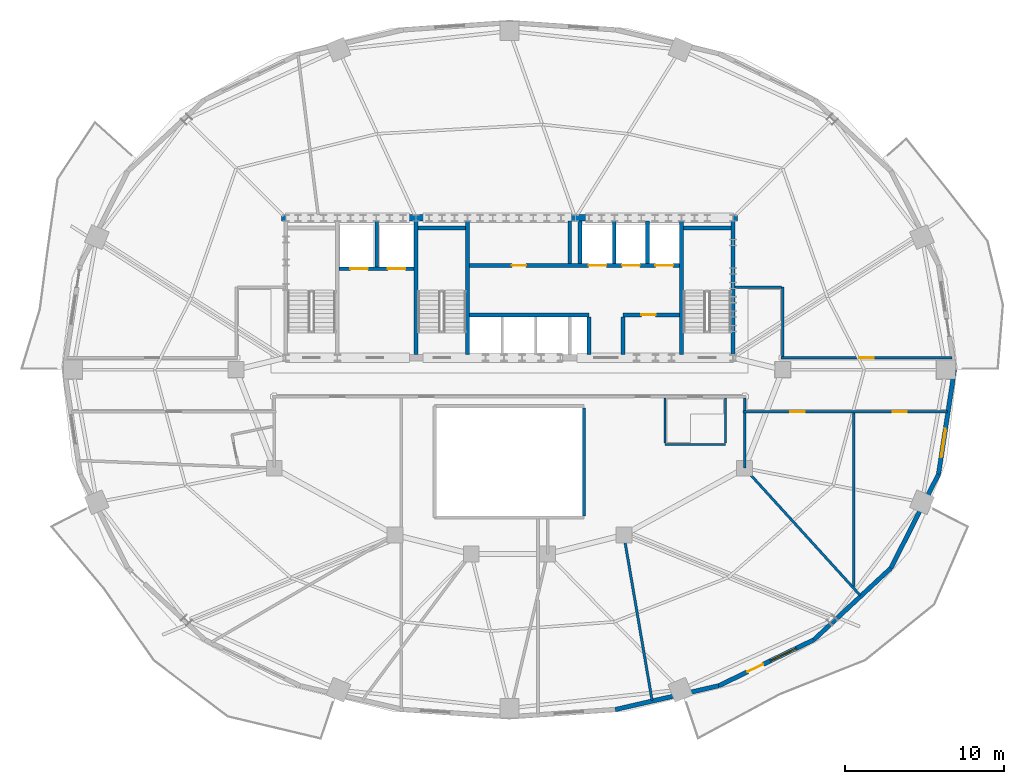
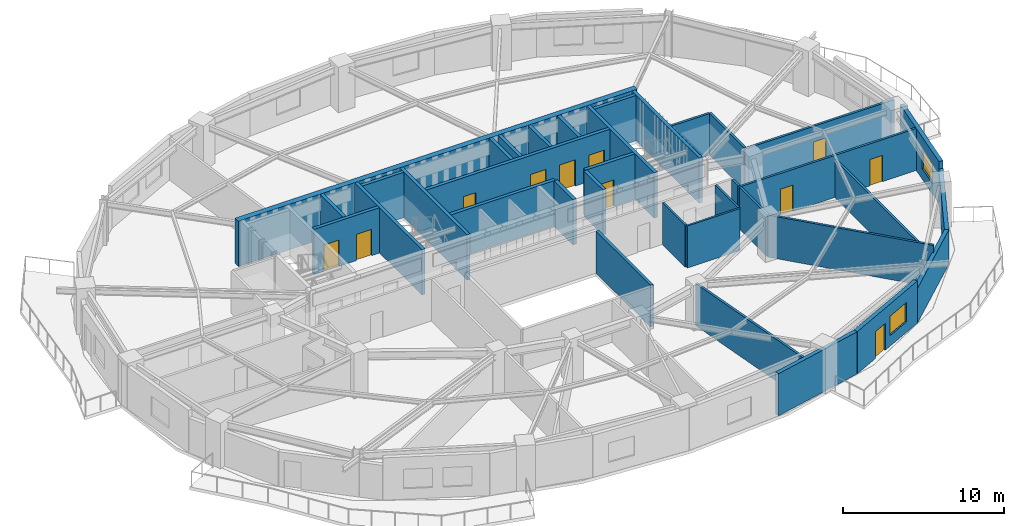
# One storey, part 5 of 11: 36 walls, 11 doors, 2 windows, 13 openings.
"""IFC4 building model written with IfcOpenShell, lengths in metres."""

from ifc_helpers import new_model, si_unit, direction, frame, frame_2d, origin, place, context, subcontext, project, spatial, rectangle, extrude, material, layer, layer_set, type_object, element, fill, save


model = new_model("IFC4")

# Units and contexts
model_context = context("Model", 3, precision=1e-05, world=origin(), true_north=direction((0.0, 1.0)))
body_context = subcontext(model_context, "Body", "Model", "MODEL_VIEW")
ifc_project = project(units=[si_unit("LENGTHUNIT", "METRE"), si_unit("AREAUNIT", "SQUARE_METRE"), si_unit("VOLUMEUNIT", "CUBIC_METRE"), si_unit("PLANEANGLEUNIT", "RADIAN"), si_unit("MASSUNIT", "GRAM", prefix="KILO")], contexts=[model_context])

# Site, building, storey
site_placement = place(None, origin())
site = spatial("IfcSite", under=ifc_project, at=site_placement, CompositionType="ELEMENT")
building_placement = place(site_placement, origin())
building = spatial("IfcBuilding", under=site, at=building_placement, Name="Haldorwick Loom Tower", CompositionType="ELEMENT")
storey_placement = place(building_placement, frame((0.0, 0.0, 204.85009765625)))
storey = spatial("IfcBuildingStorey", under=building, at=storey_placement, Name="L55", CompositionType="ELEMENT", Elevation=204.85009765625)

# Wall
ifc_material_1 = material(Name="Pressed Clay Face Brick and Insulated Masonry Backup Assembly", Category="masonry")
ifc_layer_1 = layer(ifc_material_1, 0.280029296875, Name="Pressed Clay Face Brick and Insulated Masonry Backup Assembly", Category="masonry")
ifc_layer_set_1 = layer_set([ifc_layer_1], Name="Pressed Clay Face Brick and Insulated Masonry Backup Assembly")
wall_type_1 = type_object("IfcWallType", Name="ARC-WL-EXT280", PredefinedType="STANDARD", material=ifc_layer_set_1)
wall_1_placement = place(storey_placement, frame((42.665283203125, 4.61279296875, 0.0), z_axis=(0.0, 0.0, 1.0), x_axis=(0.974557343474, 0.224138315065, 0.0)))
element("IfcWall", 1, at=wall_1_placement, inside=storey, type_object=wall_type_1, Name="L55 Brick Pier and Spandrel Wall 20", PredefinedType="STANDARD", context=body_context, shape_type="SweptSolid", body=[
    extrude(rectangle(XDim=6.676025390625, YDim=0.280029296875, at=frame_2d((3.337890625, 0.0))), origin(), (0.0, 0.0, 1.0), 3.2099609375),
])

# Wall, openings, door, window
wall_2_placement = place(storey_placement, frame((49.17138671875, 6.109130859375, 0.0), z_axis=(0.0, 0.0, 1.0), x_axis=(0.900371236029, 0.435122554381, 0.0)))
wall_2 = element("IfcWall", 2, at=wall_2_placement, inside=storey, type_object=wall_type_1, Name="L55 Brick Pier and Spandrel Wall 21", PredefinedType="STANDARD", context=body_context, shape_type="SweptSolid", body=[
    extrude(rectangle(XDim=6.6533203125, YDim=0.280029296875, at=frame_2d((3.32666015625, 0.0))), origin(), (0.0, 0.0, 1.0), 3.2099609375),
])
opening_1_placement = place(wall_2_placement, frame((2.022705078125, 0.0, 0.0)))
opening_1 = element("IfcOpeningElement", 3, at=opening_1_placement, cuts=wall_2, Name="Opening D-BL11", PredefinedType="OPENING", context=body_context, shape_type="SweptSolid", body=[
    extrude(rectangle(XDim=1.080078125, YDim=2.0400390625, at=frame_2d((0.5400390625, 1.02001953125))), frame((0.0, 0.14990234375, 0.0), z_axis=(0.0, -1.0, 0.0), x_axis=(1.0, 0.0, 0.0)), (0.0, 0.0, 1.0), 0.300048828125),
])
opening_2_placement = place(wall_2_placement, frame((3.618896484375, 0.0, 0.800048828125)))
opening_2 = element("IfcOpeningElement", 4, at=opening_2_placement, cuts=wall_2, Name="Opening W-01", PredefinedType="OPENING", context=body_context, shape_type="SweptSolid", body=[
    extrude(rectangle(XDim=1.800048828125, YDim=1.47998046875, at=frame_2d((0.89990234375, 0.739990234375))), frame((0.0, 0.14990234375, 0.0), z_axis=(0.0, -1.0, 0.0), x_axis=(1.0, 0.0, 0.0)), (0.0, 0.0, 1.0), 0.300048828125),
])
ifc_material_2 = material(Name="Thermally Broken Anodized Aluminium Curtain Wall Framing", Category="aluminium")
door_type_1 = type_object("IfcDoorType", Name="ARC-DR-BAL110", OperationType="NOTDEFINED", PredefinedType="DOOR", material=ifc_material_2)
door_1_placement = place(opening_1_placement, origin())
door_1 = element("IfcDoor", 5, at=door_1_placement, inside=storey, type_object=door_type_1, Name="L55 Outdoor Terrace Door SLB-L55-BAL_SE", OperationType="SINGLE_SWING_RIGHT", OverallHeight=2.0400390625, OverallWidth=1.080078125, PredefinedType="DOOR", context=body_context, shape_type="SweptSolid", body=[
    extrude(rectangle(XDim=1.080078125, YDim=2.0400390625, at=frame_2d((0.5400390625, 1.02001953125))), frame((0.0, 0.02490234375, 0.0), z_axis=(0.0, -1.0, 0.0), x_axis=(1.0, 0.0, 0.0)), (0.0, 0.0, 1.0), 0.050048828125),
])
fill(opening_1, door_1)
ifc_material_3 = material(Name="Triple-Glazed Low-E Argon Insulated Glazing Unit", Category="glass")
window_type = type_object("IfcWindowType", Name="ARC-WIN-W180", PartitioningType="SINGLE_PANEL", PredefinedType="WINDOW", material=ifc_material_3)
window_1_placement = place(opening_2_placement, origin())
window_1 = element("IfcWindow", 6, at=window_1_placement, inside=storey, type_object=window_type, Name="L55 Deep-Set Zone 7A Window 21", OverallHeight=1.47998046875, OverallWidth=1.800048828125, PartitioningType="SINGLE_PANEL", PredefinedType="WINDOW", context=body_context, shape_type="SweptSolid", body=[
    extrude(rectangle(XDim=1.800048828125, YDim=1.47998046875, at=frame_2d((0.89990234375, 0.739990234375))), frame((0.0, 0.030029296875, 0.0), z_axis=(0.0, -1.0, 0.0), x_axis=(1.0, 0.0, 0.0)), (0.0, 0.0, 1.0), 0.06005859375),
])
fill(opening_2, window_1)

# Walls
wall_3_placement = place(storey_placement, frame((55.161865234375, 9.004150390625, 0.0), z_axis=(0.0, 0.0, 1.0), x_axis=(0.731833707499, 0.681483253329, 0.0)))
element("IfcWall", 7, at=wall_3_placement, inside=storey, type_object=wall_type_1, Name="L55 Brick Pier and Spandrel Wall 22", PredefinedType="STANDARD", context=body_context, shape_type="SweptSolid", body=[
    extrude(rectangle(XDim=6.61865234375, YDim=0.280029296875, at=frame_2d((3.309326171875, 0.0))), origin(), (0.0, 0.0, 1.0), 2.640869140625),
])
wall_4_placement = place(storey_placement, frame((60.005615234375, 13.5146484375, 0.0), z_axis=(0.0, 0.0, 1.0), x_axis=(0.453032066879, 0.89149422117, 0.0)))
element("IfcWall", 8, at=wall_4_placement, inside=storey, type_object=wall_type_1, Name="L55 Brick Pier and Spandrel Wall 23", PredefinedType="STANDARD", context=body_context, shape_type="SweptSolid", body=[
    extrude(rectangle(XDim=6.618896484375, YDim=0.280029296875, at=frame_2d((3.3095703125, 0.0))), origin(), (0.0, 0.0, 1.0), 2.640869140625),
])

# Wall, opening, window
wall_5_placement = place(storey_placement, frame((63.004150390625, 19.415283203125, 0.0), z_axis=(0.0, 0.0, 1.0), x_axis=(0.150467697578, 0.988614926038, 0.0)))
wall_5 = element("IfcWall", 9, at=wall_5_placement, inside=storey, type_object=wall_type_1, Name="L55 Brick Pier and Spandrel Wall 24", PredefinedType="STANDARD", context=body_context, shape_type="SweptSolid", body=[
    extrude(rectangle(XDim=6.66064453125, YDim=0.280029296875, at=frame_2d((3.330322265625, 0.0))), origin(), (0.0, 0.0, 1.0), 3.2099609375),
])
opening_3_placement = place(wall_5_placement, frame((1.09814453125, 0.0, 0.800048828125)))
opening_3 = element("IfcOpeningElement", 10, at=opening_3_placement, cuts=wall_5, Name="Opening W-01", PredefinedType="OPENING", context=body_context, shape_type="SweptSolid", body=[
    extrude(rectangle(XDim=1.800048828125, YDim=1.47998046875, at=frame_2d((0.89990234375, 0.739990234375))), frame((0.0, 0.14990234375, 0.0), z_axis=(0.0, -1.0, 0.0), x_axis=(1.0, 0.0, 0.0)), (0.0, 0.0, 1.0), 0.300048828125),
])
window_2_placement = place(opening_3_placement, origin())
window_2 = element("IfcWindow", 11, at=window_2_placement, inside=storey, type_object=window_type, Name="L55 Deep-Set Zone 7A Window 24", OverallHeight=1.47998046875, OverallWidth=1.800048828125, PartitioningType="SINGLE_PANEL", PredefinedType="WINDOW", context=body_context, shape_type="SweptSolid", body=[
    extrude(rectangle(XDim=1.800048828125, YDim=1.47998046875, at=frame_2d((0.89990234375, 0.739990234375))), frame((0.0, 0.030029296875, 0.0), z_axis=(0.0, -1.0, 0.0), x_axis=(1.0, 0.0, 0.0)), (0.0, 0.0, 1.0), 0.06005859375),
])
fill(opening_3, window_2)

# Wall, openings, doors
ifc_material_4 = material(Name="Fire-Rated Type X Gypsum Stud Assembly EI 60")
ifc_layer_2 = layer(ifc_material_4, 0.159912109375, Name="Fire-Rated Type X Gypsum Stud Assembly EI 60")
ifc_layer_set_2 = layer_set([ifc_layer_2], Name="Fire-Rated Type X Gypsum Stud Assembly EI 60")
wall_type_2 = type_object("IfcWallType", Name="ARC-WL-FIRE160", PredefinedType="PARTITIONING", material=ifc_layer_set_2)
wall_6_placement = place(storey_placement, frame((50.699951171875, 23.35009765625, 0.0), z_axis=(0.0, 0.0, 1.0), x_axis=(1.0, 0.0, 0.0)))
wall_6 = element("IfcWall", 12, at=wall_6_placement, inside=storey, type_object=wall_type_2, Name="L55 Residential Fire Partition L55-CR-SPE", PredefinedType="PARTITIONING", context=body_context, shape_type="SweptSolid", body=[
    extrude(rectangle(XDim=12.857666015625, YDim=0.159912109375, at=frame_2d((6.4287109375, 0.0))), origin(), (0.0, 0.0, 1.0), 3.19482421875),
])
opening_4_placement = place(wall_6_placement, frame((2.986083984375, 0.0, 0.0)))
opening_4 = element("IfcOpeningElement", 13, at=opening_4_placement, cuts=wall_6, Name="Opening D-FD60A", PredefinedType="OPENING", context=body_context, shape_type="SweptSolid", body=[
    extrude(rectangle(XDim=0.89990234375, YDim=2.0, at=frame_2d((0.449951171875, 1.0))), frame((0.0, 0.08984375, 0.0), z_axis=(0.0, -1.0, 0.0), x_axis=(1.0, 0.0, 0.0)), (0.0, 0.0, 1.0), 0.179931640625),
])
opening_5_placement = place(wall_6_placement, frame((9.414794921875, 0.0, 0.0)))
opening_5 = element("IfcOpeningElement", 14, at=opening_5_placement, cuts=wall_6, Name="Opening D-FD60A", PredefinedType="OPENING", context=body_context, shape_type="SweptSolid", body=[
    extrude(rectangle(XDim=0.89990234375, YDim=2.0, at=frame_2d((0.449951171875, 1.0))), frame((0.0, 0.08984375, 0.0), z_axis=(0.0, -1.0, 0.0), x_axis=(1.0, 0.0, 0.0)), (0.0, 0.0, 1.0), 0.179931640625),
])
ifc_material_5 = material(Name="Hollow Steel Fire Door Assembly", Category="steel")
door_type_2 = type_object("IfcDoorType", Name="ARC-DR-FD60-90", OperationType="NOTDEFINED", PredefinedType="DOOR", material=ifc_material_5)
door_2_placement = place(opening_4_placement, origin())
door_2 = element("IfcDoor", 15, at=door_2_placement, inside=storey, type_object=door_type_2, Name="L55 L55 Central Residential Corridor to Resident Cafe Room 2 Door", OperationType="SINGLE_SWING_LEFT", OverallHeight=2.0, OverallWidth=0.89990234375, PredefinedType="DOOR", context=body_context, shape_type="SweptSolid", body=[
    extrude(rectangle(XDim=0.89990234375, YDim=2.0, at=frame_2d((0.449951171875, 1.0))), frame((0.0, 0.02490234375, 0.0), z_axis=(0.0, -1.0, 0.0), x_axis=(1.0, 0.0, 0.0)), (0.0, 0.0, 1.0), 0.050048828125),
])
fill(opening_4, door_2)
door_3_placement = place(opening_5_placement, origin())
door_3 = element("IfcDoor", 16, at=door_3_placement, inside=storey, type_object=door_type_2, Name="L55 L55 Central Residential Corridor to Shared Dining Hall 1 Door", OperationType="SINGLE_SWING_RIGHT", OverallHeight=2.0, OverallWidth=0.89990234375, PredefinedType="DOOR", context=body_context, shape_type="SweptSolid", body=[
    extrude(rectangle(XDim=0.89990234375, YDim=2.0, at=frame_2d((0.449951171875, 1.0))), frame((0.0, 0.02490234375, 0.0), z_axis=(0.0, -1.0, 0.0), x_axis=(1.0, 0.0, 0.0)), (0.0, 0.0, 1.0), 0.050048828125),
])
fill(opening_5, door_3)

# Wall
wall_7_placement = place(storey_placement, frame((50.800048828125, 23.43310546875, 0.0), z_axis=(0.0, 0.0, 1.0), x_axis=(0.0, 1.0, 0.0)))
element("IfcWall", 17, at=wall_7_placement, inside=storey, type_object=wall_type_2, Name="L55 Residential Fire Partition L55-CR-STE", PredefinedType="PARTITIONING", context=body_context, shape_type="SweptSolid", body=[
    extrude(rectangle(XDim=0.783935546875, YDim=0.159912109375, at=frame_2d((0.39208984375, 0.0))), origin(), (0.0, 0.0, 1.0), 3.19482421875),
])

# Wall, opening, door
wall_8_placement = place(storey_placement, frame((53.10009765625, 26.75, 0.0), z_axis=(0.0, 0.0, 1.0), x_axis=(1.0, 0.0, 0.0)))
wall_8 = element("IfcWall", 18, at=wall_8_placement, inside=storey, type_object=wall_type_2, Name="L55 Residential Fire Partition L55-CR-NEL", PredefinedType="PARTITIONING", context=body_context, shape_type="SweptSolid", body=[
    extrude(rectangle(XDim=10.74658203125, YDim=0.159912109375, at=frame_2d((5.373291015625, 0.0))), origin(), (0.0, 0.0, 1.0), 3.19482421875),
])
opening_6_placement = place(wall_8_placement, frame((4.92333984375, 0.0, 0.0)))
opening_6 = element("IfcOpeningElement", 19, at=opening_6_placement, cuts=wall_8, Name="Opening D-FD60A", PredefinedType="OPENING", context=body_context, shape_type="SweptSolid", body=[
    extrude(rectangle(XDim=0.89990234375, YDim=2.0, at=frame_2d((0.449951171875, 1.0))), frame((0.0, 0.08984375, 0.0), z_axis=(0.0, -1.0, 0.0), x_axis=(1.0, 0.0, 0.0)), (0.0, 0.0, 1.0), 0.179931640625),
])
door_4_placement = place(opening_6_placement, frame((0.89990234375, 0.0, 0.0), z_axis=(0.0, 0.0, 1.0), x_axis=(-1.0, 0.0, 0.0)))
door_4 = element("IfcDoor", 20, at=door_4_placement, inside=storey, type_object=door_type_2, Name="L55 Co-Working Open Office 8 to L55 Central Residential Corridor Door", OperationType="SINGLE_SWING_RIGHT", OverallHeight=2.0, OverallWidth=0.89990234375, PredefinedType="DOOR", context=body_context, shape_type="SweptSolid", body=[
    extrude(rectangle(XDim=0.89990234375, YDim=2.0, at=frame_2d((0.449951171875, 1.0))), frame((0.0, 0.02490234375, 0.0), z_axis=(0.0, -1.0, 0.0), x_axis=(1.0, 0.0, 0.0)), (0.0, 0.0, 1.0), 0.050048828125),
])
fill(opening_6, door_4)

# Walls
wall_9_placement = place(storey_placement, frame((53.199951171875, 26.8330078125, 0.0), z_axis=(0.0, 0.0, 1.0), x_axis=(0.0, 1.0, 0.0)))
element("IfcWall", 21, at=wall_9_placement, inside=storey, type_object=wall_type_2, Name="L55 Residential Fire Partition L55-CR-E0", PredefinedType="PARTITIONING", context=body_context, shape_type="SweptSolid", body=[
    extrude(rectangle(XDim=4.366943359375, YDim=0.159912109375, at=frame_2d((2.18359375, 0.0))), origin(), (0.0, 0.0, 1.0), 3.19482421875),
])
wall_10_placement = place(storey_placement, frame((50.193115234375, 31.199951171875, 0.0), z_axis=(0.0, 0.0, 1.0), x_axis=(1.0, 0.0, 0.0)))
element("IfcWall", 22, at=wall_10_placement, inside=storey, type_object=wall_type_2, Name="L55 Residential Fire Partition L55-CR-ENJ", PredefinedType="PARTITIONING", context=body_context, shape_type="SweptSolid", body=[
    extrude(rectangle(XDim=2.923828125, YDim=0.159912109375, at=frame_2d((1.4619140625, 0.0))), origin(), (0.0, 0.0, 1.0), 3.19482421875),
])
wall_11_placement = place(storey_placement, frame((50.800048828125, 19.800048828125, 0.0), z_axis=(0.0, 0.0, 1.0), x_axis=(0.672622296294, -0.739985977251, 0.0)))
element("IfcWall", 23, at=wall_11_placement, inside=storey, type_object=wall_type_2, Name="L55 Residential Fire Partition L55-ICR-02", PredefinedType="PARTITIONING", context=body_context, shape_type="SweptSolid", body=[
    extrude(rectangle(XDim=10.8291015625, YDim=0.159912109375, at=frame_2d((5.41455078125, 0.0))), origin(), (0.0, 0.0, 1.0), 3.19482421875),
])
wall_12_placement = place(storey_placement, frame((43.199951171875, 15.60009765625, 0.0), z_axis=(0.0, 0.0, 1.0), x_axis=(0.168424125472, -0.985714620952, 0.0)))
element("IfcWall", 24, at=wall_12_placement, inside=storey, type_object=wall_type_2, Name="L55 Residential Fire Partition L55-ICR-04", PredefinedType="PARTITIONING", context=body_context, shape_type="SweptSolid", body=[
    extrude(rectangle(XDim=10.56005859375, YDim=0.159912109375, at=frame_2d((5.280029296875, 0.0))), origin(), (0.0, 0.0, 1.0), 3.19482421875),
])
wall_13_placement = place(storey_placement, frame((50.800048828125, 23.26708984375, 0.0), z_axis=(0.0, 0.0, 1.0), x_axis=(0.0, -1.0, 0.0)))
element("IfcWall", 25, at=wall_13_placement, inside=storey, type_object=wall_type_2, Name="L55 Residential Fire Partition L55-ICA-01", PredefinedType="PARTITIONING", context=body_context, shape_type="SweptSolid", body=[
    extrude(rectangle(XDim=3.467041015625, YDim=0.159912109375, at=frame_2d((1.7333984375, 0.0))), origin(), (0.0, 0.0, 1.0), 3.19482421875),
])
wall_14_placement = place(storey_placement, frame((57.66748046875, 12.3681640625, 0.0), z_axis=(0.0, 0.0, 1.0), x_axis=(0.0, 1.0, 0.0)))
element("IfcWall", 26, at=wall_14_placement, inside=storey, type_object=wall_type_2, Name="L55 Suite Split Wall", PredefinedType="PARTITIONING", context=body_context, shape_type="SweptSolid", body=[
    extrude(rectangle(XDim=10.89892578125, YDim=0.159912109375, at=frame_2d((5.449462890625, 0.0))), origin(), (0.0, 0.0, 1.0), 2.871826171875),
])
ifc_material_6 = material(Name="Fire-Rated Type X Gypsum Stud Assembly EI 120")
ifc_layer_3 = layer(ifc_material_6, 0.199951171875, Name="Fire-Rated Type X Gypsum Stud Assembly EI 120")
ifc_layer_set_3 = layer_set([ifc_layer_3], Name="Fire-Rated Type X Gypsum Stud Assembly EI 120")
wall_type_3 = type_object("IfcWallType", Name="ARC-WL-FIRE200", PredefinedType="PARTITIONING", material=ifc_layer_set_3)
wall_15_placement = place(storey_placement, frame((40.699951171875, 23.596923828125, 0.0), z_axis=(0.0, 0.0, 1.0), x_axis=(0.0, -1.0, 0.0)))
element("IfcWall", 27, at=wall_15_placement, inside=storey, type_object=wall_type_3, Name="L55 Atrium Fire Enclosure Wall E", PredefinedType="PARTITIONING", context=body_context, shape_type="SweptSolid", body=[
    extrude(rectangle(XDim=6.7939453125, YDim=0.199951171875, at=frame_2d((3.39697265625, 0.0))), origin(), (0.0, 0.0, 1.0), 3.19482421875),
])
ifc_layer_4 = layer(ifc_material_4, 0.139892578125, Name="Fire-Rated Type X Gypsum Stud Assembly EI 60")
ifc_layer_set_4 = layer_set([ifc_layer_4], Name="Fire-Rated Type X Gypsum Stud Assembly EI 60")
wall_type_4 = type_object("IfcWallType", Name="ARC-WL-PART140", PredefinedType="PARTITIONING", material=ifc_layer_set_4)
wall_16_placement = place(storey_placement, frame((45.800048828125, 21.300048828125, 0.0), z_axis=(0.0, 0.0, 1.0), x_axis=(1.0, 0.0, 0.0)))
element("IfcWall", 28, at=wall_16_placement, inside=storey, type_object=wall_type_4, Name="L55 Residential Fire Partition L55-CWC-S", PredefinedType="PARTITIONING", context=body_context, shape_type="SweptSolid", body=[
    extrude(rectangle(XDim=3.800048828125, YDim=0.139892578125, at=frame_2d((1.89990234375, 0.0))), origin(), (0.0, 0.0, 1.0), 3.19482421875),
])
for number, where, z_axis, x_axis, name in (
    (29, (45.800048828125, 21.373046875, 0.0), (0.0, 0.0, 1.0), (0.0, 1.0, 0.0), "L55 Residential Fire Partition L55-CWC-W"),
    (30, (49.60009765625, 21.373046875, 0.0), (0.0, 0.0, 1.0), (0.0, 1.0, 0.0), "L55 Residential Fire Partition L55-CWC-E"),
):
    element("IfcWall", number, at=place(storey_placement, frame(where, z_axis=z_axis, x_axis=x_axis)), inside=storey, type_object=wall_type_4, Name=name, PredefinedType="PARTITIONING", context=body_context, shape_type="SweptSolid", body=[
        extrude(rectangle(XDim=2.843994140625, YDim=0.139892578125, at=frame_2d((1.421875, 0.0))), origin(), (0.0, 0.0, 1.0), 3.19482421875),
    ])
ifc_material_7 = material(Name="Concrete C50 (50 MPa)", Category="concrete")
ifc_layer_5 = layer(ifc_material_7, 0.39990234375, Name="Concrete C50 (50 MPa)", Category="concrete")
ifc_layer_set_5 = layer_set([ifc_layer_5], Name="Concrete C50 (50 MPa)")
wall_type_5 = type_object("IfcWallType", Name="STR-WL-CORE400", PredefinedType="SHEAR", material=ifc_layer_set_5)
wall_17_placement = place(storey_placement, frame((50.35009765625, 35.550048828125, 0.0), z_axis=(0.0, 0.0, 1.0), x_axis=(-1.0, 0.0, 0.0)))
element("IfcWall", 31, at=wall_17_placement, inside=storey, type_object=wall_type_5, Name="L55 Core Shear Wall N", PredefinedType="SHEAR", context=body_context, shape_type="SweptSolid", body=[
    extrude(rectangle(XDim=28.7001953125, YDim=0.39990234375, at=frame_2d((14.35009765625, 0.0))), origin(), (0.0, 0.0, 1.0), 3.449951171875),
])
ifc_layer_6 = layer(ifc_material_7, 0.239990234375, Name="Concrete C50 (50 MPa)", Category="concrete")
ifc_layer_set_6 = layer_set([ifc_layer_6], Name="Concrete C50 (50 MPa)")
wall_type_6 = type_object("IfcWallType", Name="STR-WL-SHAFT240", PredefinedType="SHEAR", material=ifc_layer_set_6)
for number, where, z_axis, x_axis, name in (
    (32, (50.070068359375, 26.952880859375, 0.0), (0.0, 0.0, 1.0), (0.0, 1.0, 0.0), "L55 Core Shear Wall E"),
    (33, (30.1298828125, 26.952880859375, 0.0), (0.0, 0.0, 1.0), (0.0, 1.0, 0.0), "L55 Core Shear Wall 2"),
    (34, (33.3701171875, 26.952880859375, 0.0), (0.0, 0.0, 1.0), (0.0, 1.0, 0.0), "L55 Core Shear Wall 3"),
):
    element("IfcWall", number, at=place(storey_placement, frame(where, z_axis=z_axis, x_axis=x_axis)), inside=storey, type_object=wall_type_6, Name=name, PredefinedType="SHEAR", context=body_context, shape_type="SweptSolid", body=[
        extrude(rectangle(XDim=8.39404296875, YDim=0.239990234375, at=frame_2d((4.197021484375, 0.0))), origin(), (0.0, 0.0, 1.0), 3.449951171875),
    ])
wall_18_placement = place(storey_placement, frame((30.2529296875, 34.919921875, 0.0), z_axis=(0.0, 0.0, 1.0), x_axis=(1.0, 0.0, 0.0)))
element("IfcWall", 35, at=wall_18_placement, inside=storey, type_object=wall_type_6, Name="L55 Core Shear Wall 3N", PredefinedType="SHEAR", context=body_context, shape_type="SweptSolid", body=[
    extrude(rectangle(XDim=2.994140625, YDim=0.239990234375, at=frame_2d((1.4970703125, 0.0))), origin(), (0.0, 0.0, 1.0), 3.449951171875),
])
wall_19_placement = place(storey_placement, frame((46.830078125, 26.952880859375, 0.0), z_axis=(0.0, 0.0, 1.0), x_axis=(0.0, 1.0, 0.0)))
element("IfcWall", 36, at=wall_19_placement, inside=storey, type_object=wall_type_6, Name="L55 Core Shear Wall 4", PredefinedType="SHEAR", context=body_context, shape_type="SweptSolid", body=[
    extrude(rectangle(XDim=8.39404296875, YDim=0.239990234375, at=frame_2d((4.197021484375, 0.0))), origin(), (0.0, 0.0, 1.0), 3.449951171875),
])
wall_20_placement = place(storey_placement, frame((46.952880859375, 34.919921875, 0.0), z_axis=(0.0, 0.0, 1.0), x_axis=(1.0, 0.0, 0.0)))
element("IfcWall", 37, at=wall_20_placement, inside=storey, type_object=wall_type_6, Name="L55 Core Shear Wall 4N", PredefinedType="SHEAR", context=body_context, shape_type="SweptSolid", body=[
    extrude(rectangle(XDim=2.994140625, YDim=0.239990234375, at=frame_2d((1.4970703125, 0.0))), origin(), (0.0, 0.0, 1.0), 3.449951171875),
])

# Wall, openings, doors
wall_21_placement = place(storey_placement, frame((25.29296875, 32.35009765625, 0.0), z_axis=(0.0, 0.0, 1.0), x_axis=(1.0, 0.0, 0.0)))
wall_21 = element("IfcWall", 38, at=wall_21_placement, inside=storey, type_object=wall_type_6, Name="L55 Core Shear Wall FF", PredefinedType="SHEAR", context=body_context, shape_type="SweptSolid", body=[
    extrude(rectangle(XDim=4.714111328125, YDim=0.239990234375, at=frame_2d((2.35693359375, 0.0))), origin(), (0.0, 0.0, 1.0), 3.449951171875),
])
opening_7_placement = place(wall_21_placement, frame((0.70703125, 0.0, 0.0)))
opening_7 = element("IfcOpeningElement", 39, at=opening_7_placement, cuts=wall_21, Name="Opening LD-FF1", PredefinedType="OPENING", context=body_context, shape_type="SweptSolid", body=[
    extrude(rectangle(XDim=1.10009765625, YDim=2.0, at=frame_2d((0.550048828125, 1.0))), frame((0.0, 0.1298828125, 0.0), z_axis=(0.0, -1.0, 0.0), x_axis=(1.0, 0.0, 0.0)), (0.0, 0.0, 1.0), 0.260009765625),
])
opening_8_placement = place(wall_21_placement, frame((3.056884765625, 0.0, 0.0)))
opening_8 = element("IfcOpeningElement", 40, at=opening_8_placement, cuts=wall_21, Name="Opening LD-FF2", PredefinedType="OPENING", context=body_context, shape_type="SweptSolid", body=[
    extrude(rectangle(XDim=1.10009765625, YDim=2.0, at=frame_2d((0.550048828125, 1.0))), frame((0.0, 0.1298828125, 0.0), z_axis=(0.0, -1.0, 0.0), x_axis=(1.0, 0.0, 0.0)), (0.0, 0.0, 1.0), 0.260009765625),
])
door_type_3 = type_object("IfcDoorType", Name="ARC-DR-LD-FF", OperationType="NOTDEFINED", PredefinedType="USERDEFINED", material=ifc_material_5)
door_5_placement = place(opening_7_placement, origin())
door_5 = element("IfcDoor", 41, at=door_5_placement, inside=storey, type_object=door_type_3, Name="L55 Lift LF-FF1 Sliding Landing Door", ObjectType="LANDING DOOR", OperationType="DOUBLE_DOOR_SLIDING", OverallHeight=2.0, OverallWidth=1.10009765625, PredefinedType="USERDEFINED", context=body_context, shape_type="SweptSolid", body=[
    extrude(rectangle(XDim=1.10009765625, YDim=2.0, at=frame_2d((0.550048828125, 1.0))), frame((0.0, 0.02490234375, 0.0), z_axis=(0.0, -1.0, 0.0), x_axis=(1.0, 0.0, 0.0)), (0.0, 0.0, 1.0), 0.050048828125),
])
fill(opening_7, door_5)
door_6_placement = place(opening_8_placement, origin())
door_6 = element("IfcDoor", 42, at=door_6_placement, inside=storey, type_object=door_type_3, Name="L55 Lift LF-FF2 Sliding Landing Door", ObjectType="LANDING DOOR", OperationType="DOUBLE_DOOR_SLIDING", OverallHeight=2.0, OverallWidth=1.10009765625, PredefinedType="USERDEFINED", context=body_context, shape_type="SweptSolid", body=[
    extrude(rectangle(XDim=1.10009765625, YDim=2.0, at=frame_2d((0.550048828125, 1.0))), frame((0.0, 0.02490234375, 0.0), z_axis=(0.0, -1.0, 0.0), x_axis=(1.0, 0.0, 0.0)), (0.0, 0.0, 1.0), 0.050048828125),
])
fill(opening_8, door_6)

# Wall
wall_22_placement = place(storey_placement, frame((27.64990234375, 32.472900390625, 0.0), z_axis=(0.0, 0.0, 1.0), x_axis=(0.0, 1.0, 0.0)))
element("IfcWall", 43, at=wall_22_placement, inside=storey, type_object=wall_type_6, Name="L55 Core Shear Wall FFD", PredefinedType="SHEAR", context=body_context, shape_type="SweptSolid", body=[
    extrude(rectangle(XDim=2.8740234375, YDim=0.239990234375, at=frame_2d((1.43701171875, 0.0))), origin(), (0.0, 0.0, 1.0), 3.449951171875),
])

# Wall, openings, doors
wall_23_placement = place(storey_placement, frame((33.492919921875, 32.550048828125, 0.0), z_axis=(0.0, 0.0, 1.0), x_axis=(1.0, 0.0, 0.0)))
wall_23 = element("IfcWall", 44, at=wall_23_placement, inside=storey, type_object=wall_type_6, Name="L55 Core Shear Wall LN", PredefinedType="SHEAR", context=body_context, shape_type="SweptSolid", body=[
    extrude(rectangle(XDim=13.214111328125, YDim=0.239990234375, at=frame_2d((6.60693359375, 0.0))), origin(), (0.0, 0.0, 1.0), 3.449951171875),
])
opening_9_placement = place(wall_23_placement, frame((2.656982421875, 0.0, 0.0)))
opening_9 = element("IfcOpeningElement", 45, at=opening_9_placement, cuts=wall_23, Name="Opening D-FD60A", PredefinedType="OPENING", context=body_context, shape_type="SweptSolid", body=[
    extrude(rectangle(XDim=0.89990234375, YDim=2.0, at=frame_2d((0.449951171875, 1.0))), frame((0.0, 0.1298828125, 0.0), z_axis=(0.0, -1.0, 0.0), x_axis=(1.0, 0.0, 0.0)), (0.0, 0.0, 1.0), 0.260009765625),
])
opening_10_placement = place(wall_23_placement, frame((7.4970703125, 0.0, 0.0)))
opening_10 = element("IfcOpeningElement", 46, at=opening_10_placement, cuts=wall_23, Name="Opening LD-H1", PredefinedType="OPENING", context=body_context, shape_type="SweptSolid", body=[
    extrude(rectangle(XDim=1.1201171875, YDim=2.0, at=frame_2d((0.56005859375, 1.0))), frame((0.0, 0.1298828125, 0.0), z_axis=(0.0, -1.0, 0.0), x_axis=(1.0, 0.0, 0.0)), (0.0, 0.0, 1.0), 0.260009765625),
])
opening_11_placement = place(wall_23_placement, frame((9.596923828125, 0.0, 0.0)))
opening_11 = element("IfcOpeningElement", 47, at=opening_11_placement, cuts=wall_23, Name="Opening LD-H2", PredefinedType="OPENING", context=body_context, shape_type="SweptSolid", body=[
    extrude(rectangle(XDim=1.1201171875, YDim=2.0, at=frame_2d((0.56005859375, 1.0))), frame((0.0, 0.1298828125, 0.0), z_axis=(0.0, -1.0, 0.0), x_axis=(1.0, 0.0, 0.0)), (0.0, 0.0, 1.0), 0.260009765625),
])
opening_12_placement = place(wall_23_placement, frame((11.697021484375, 0.0, 0.0)))
opening_12 = element("IfcOpeningElement", 48, at=opening_12_placement, cuts=wall_23, Name="Opening LD-H3", PredefinedType="OPENING", context=body_context, shape_type="SweptSolid", body=[
    extrude(rectangle(XDim=1.1201171875, YDim=2.0, at=frame_2d((0.56005859375, 1.0))), frame((0.0, 0.1298828125, 0.0), z_axis=(0.0, -1.0, 0.0), x_axis=(1.0, 0.0, 0.0)), (0.0, 0.0, 1.0), 0.260009765625),
])
door_7_placement = place(opening_9_placement, frame((0.89990234375, 0.0, 0.0), z_axis=(0.0, 0.0, 1.0), x_axis=(-1.0, 0.0, 0.0)))
door_7 = element("IfcDoor", 49, at=door_7_placement, inside=storey, type_object=door_type_2, Name="L55 Housekeeping Store Door", OperationType="SINGLE_SWING_LEFT", OverallHeight=2.0, OverallWidth=0.89990234375, PredefinedType="DOOR", context=body_context, shape_type="SweptSolid", body=[
    extrude(rectangle(XDim=0.89990234375, YDim=2.0, at=frame_2d((0.449951171875, 1.0))), frame((0.0, 0.02490234375, 0.0), z_axis=(0.0, -1.0, 0.0), x_axis=(1.0, 0.0, 0.0)), (0.0, 0.0, 1.0), 0.050048828125),
])
fill(opening_9, door_7)
door_type_4 = type_object("IfcDoorType", Name="ARC-DR-LD-PAX", OperationType="NOTDEFINED", PredefinedType="USERDEFINED", material=ifc_material_5)
door_8_placement = place(opening_10_placement, origin())
door_8 = element("IfcDoor", 50, at=door_8_placement, inside=storey, type_object=door_type_4, Name="L55 Lift LF-H1 Sliding Landing Door", ObjectType="LANDING DOOR", OperationType="DOUBLE_DOOR_SLIDING", OverallHeight=2.0, OverallWidth=1.1201171875, PredefinedType="USERDEFINED", context=body_context, shape_type="SweptSolid", body=[
    extrude(rectangle(XDim=1.1201171875, YDim=2.0, at=frame_2d((0.56005859375, 1.0))), frame((0.0, 0.02490234375, 0.0), z_axis=(0.0, -1.0, 0.0), x_axis=(1.0, 0.0, 0.0)), (0.0, 0.0, 1.0), 0.050048828125),
])
fill(opening_10, door_8)
door_9_placement = place(opening_11_placement, origin())
door_9 = element("IfcDoor", 51, at=door_9_placement, inside=storey, type_object=door_type_4, Name="L55 Lift LF-H2 Sliding Landing Door", ObjectType="LANDING DOOR", OperationType="DOUBLE_DOOR_SLIDING", OverallHeight=2.0, OverallWidth=1.1201171875, PredefinedType="USERDEFINED", context=body_context, shape_type="SweptSolid", body=[
    extrude(rectangle(XDim=1.1201171875, YDim=2.0, at=frame_2d((0.56005859375, 1.0))), frame((0.0, 0.02490234375, 0.0), z_axis=(0.0, -1.0, 0.0), x_axis=(1.0, 0.0, 0.0)), (0.0, 0.0, 1.0), 0.050048828125),
])
fill(opening_11, door_9)
door_10_placement = place(opening_12_placement, origin())
door_10 = element("IfcDoor", 52, at=door_10_placement, inside=storey, type_object=door_type_4, Name="L55 Lift LF-H3 Sliding Landing Door", ObjectType="LANDING DOOR", OperationType="DOUBLE_DOOR_SLIDING", OverallHeight=2.0, OverallWidth=1.1201171875, PredefinedType="USERDEFINED", context=body_context, shape_type="SweptSolid", body=[
    extrude(rectangle(XDim=1.1201171875, YDim=2.0, at=frame_2d((0.56005859375, 1.0))), frame((0.0, 0.02490234375, 0.0), z_axis=(0.0, -1.0, 0.0), x_axis=(1.0, 0.0, 0.0)), (0.0, 0.0, 1.0), 0.050048828125),
])
fill(opening_12, door_10)

# Wall
wall_24_placement = place(storey_placement, frame((33.492919921875, 29.449951171875, 0.0), z_axis=(0.0, 0.0, 1.0), x_axis=(1.0, 0.0, 0.0)))
element("IfcWall", 53, at=wall_24_placement, inside=storey, type_object=wall_type_6, Name="L55 Core Shear Wall LS1", PredefinedType="SHEAR", context=body_context, shape_type="SweptSolid", body=[
    extrude(rectangle(XDim=7.507080078125, YDim=0.239990234375, at=frame_2d((3.75341796875, 0.0))), origin(), (0.0, 0.0, 1.0), 3.449951171875),
])

# Wall, opening, door
wall_25_placement = place(storey_placement, frame((43.14990234375, 29.449951171875, 0.0), z_axis=(0.0, 0.0, 1.0), x_axis=(1.0, 0.0, 0.0)))
wall_25 = element("IfcWall", 54, at=wall_25_placement, inside=storey, type_object=wall_type_6, Name="L55 Core Shear Wall LS2", PredefinedType="SHEAR", context=body_context, shape_type="SweptSolid", body=[
    extrude(rectangle(XDim=3.55712890625, YDim=0.239990234375, at=frame_2d((1.778564453125, 0.0))), origin(), (0.0, 0.0, 1.0), 3.449951171875),
])
opening_13_placement = place(wall_25_placement, frame((1.14990234375, 0.0, 0.0)))
opening_13 = element("IfcOpeningElement", 55, at=opening_13_placement, cuts=wall_25, Name="Opening D-FD60A", PredefinedType="OPENING", context=body_context, shape_type="SweptSolid", body=[
    extrude(rectangle(XDim=0.89990234375, YDim=2.0, at=frame_2d((0.449951171875, 1.0))), frame((0.0, 0.1298828125, 0.0), z_axis=(0.0, -1.0, 0.0), x_axis=(1.0, 0.0, 0.0)), (0.0, 0.0, 1.0), 0.260009765625),
])
door_11_placement = place(opening_13_placement, origin())
door_11 = element("IfcDoor", 56, at=door_11_placement, inside=storey, type_object=door_type_2, Name="L55 Electrical Metering Door", OperationType="SINGLE_SWING_LEFT", OverallHeight=2.0, OverallWidth=0.89990234375, PredefinedType="DOOR", context=body_context, shape_type="SweptSolid", body=[
    extrude(rectangle(XDim=0.89990234375, YDim=2.0, at=frame_2d((0.449951171875, 1.0))), frame((0.0, 0.02490234375, 0.0), z_axis=(0.0, -1.0, 0.0), x_axis=(1.0, 0.0, 0.0)), (0.0, 0.0, 1.0), 0.050048828125),
])
fill(opening_13, door_11)

# Walls
for number, where, z_axis, x_axis, name in (
    (57, (41.0, 26.952880859375, 0.0), (0.0, 0.0, 1.0), (0.0, 1.0, 0.0), "L55 Core Shear Wall THW"),
    (58, (43.14990234375, 26.952880859375, 0.0), (0.0, 0.0, 1.0), (0.0, 1.0, 0.0), "L55 Core Shear Wall THE"),
):
    element("IfcWall", number, at=place(storey_placement, frame(where, z_axis=z_axis, x_axis=x_axis)), inside=storey, type_object=wall_type_6, Name=name, PredefinedType="SHEAR", context=body_context, shape_type="SweptSolid", body=[
        extrude(rectangle(XDim=2.3740234375, YDim=0.239990234375, at=frame_2d((1.18701171875, 0.0))), origin(), (0.0, 0.0, 1.0), 3.449951171875),
    ])
for number, where, z_axis, x_axis, name in (
    (59, (39.800048828125, 32.673095703125, 0.0), (0.0, 0.0, 1.0), (0.0, 1.0, 0.0), "L55 Core Shear Wall LHW"),
    (60, (40.449951171875, 32.673095703125, 0.0), (0.0, 0.0, 1.0), (0.0, 1.0, 0.0), "L55 Core Shear Wall H0"),
    (61, (42.60009765625, 32.673095703125, 0.0), (0.0, 0.0, 1.0), (0.0, 1.0, 0.0), "L55 Core Shear Wall H1"),
    (62, (44.699951171875, 32.673095703125, 0.0), (0.0, 0.0, 1.0), (0.0, 1.0, 0.0), "L55 Core Shear Wall H2"),
):
    element("IfcWall", number, at=place(storey_placement, frame(where, z_axis=z_axis, x_axis=x_axis)), inside=storey, type_object=wall_type_6, Name=name, PredefinedType="SHEAR", context=body_context, shape_type="SweptSolid", body=[
        extrude(rectangle(XDim=2.673828125, YDim=0.239990234375, at=frame_2d((1.3369140625, 0.0))), origin(), (0.0, 0.0, 1.0), 3.449951171875),
    ])

save(model, "model.ifc")
